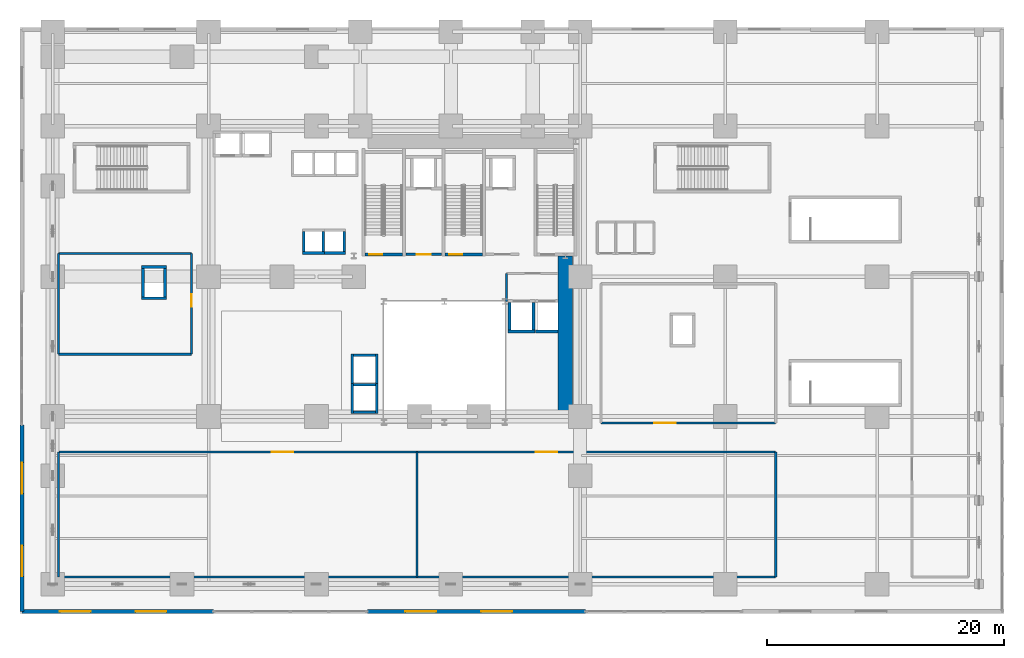
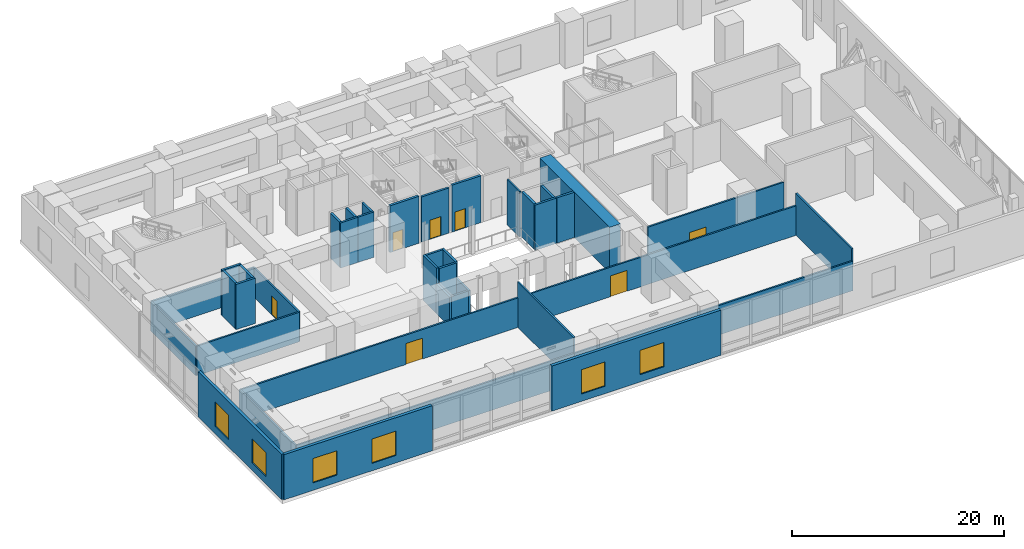
# One storey, part 11 of 17: 40 walls, 7 doors, 6 windows, 13 openings.
"""IFC4 building model written with IfcOpenShell, lengths in metres."""

from ifc_helpers import new_model, si_unit, direction, frame, frame_2d, origin, place, context, subcontext, project, spatial, rectangle, extrude, source, transform, mapped, material, layer, layer_set, type_object, element, fill, save


model = new_model("IFC4")

# Units and contexts
model_context = context("Model", 3, precision=1e-05, world=origin(), true_north=direction((0.0, 1.0)))
body_context = subcontext(model_context, "Body", "Model", "MODEL_VIEW")
ifc_project = project(units=[si_unit("LENGTHUNIT", "METRE"), si_unit("AREAUNIT", "SQUARE_METRE"), si_unit("VOLUMEUNIT", "CUBIC_METRE"), si_unit("PLANEANGLEUNIT", "RADIAN"), si_unit("MASSUNIT", "GRAM", prefix="KILO")], contexts=[model_context])

# Site, building, storey
site_placement = place(None, origin())
site = spatial("IfcSite", under=ifc_project, at=site_placement, CompositionType="ELEMENT")
building_placement = place(site_placement, origin())
building = spatial("IfcBuilding", under=site, at=building_placement, Name="Vardaveli Station Tower", CompositionType="ELEMENT")
storey_placement = place(building_placement, frame((0.0, 0.0, 11.39990234375)))
storey = spatial("IfcBuildingStorey", under=building, at=storey_placement, Name="L03", CompositionType="ELEMENT", Elevation=11.39990234375)

# Wall
ifc_material_1 = material(Name="Concrete C70/85", Category="concrete")
ifc_layer_1 = layer(ifc_material_1, 1.199951171875, Name="Concrete C70/85")
ifc_layer_set_1 = layer_set([ifc_layer_1], Name="Concrete C70/85")
wall_type_1 = type_object("IfcWallType", Name="WAL-CORE-1200", PredefinedType="SHEAR", material=ifc_layer_set_1)
shared_shape_1 = source(origin(), body_context, "Body", "SweptSolid", [
    extrude(rectangle(XDim=13.14990234375, YDim=1.199951171875, at=frame_2d((6.574951171875, 0.0))), origin(), (0.0, 0.0, 1.0), 5.2001953125),
])
wall_1_placement = place(storey_placement, frame((46.5, 17.5, 0.0), z_axis=(0.0, 0.0, 1.0), x_axis=(0.0, 1.0, 0.0)))
element("IfcWall", 1, at=wall_1_placement, inside=storey, type_object=wall_type_1, Name="SW-L03-EAST2", PredefinedType="SHEAR", context=body_context, shape_type="MappedRepresentation", body=[
    mapped(shared_shape_1, transform((0.0, 0.0, 0.0), scale=1.0)),
])

# Wall, openings, windows
ifc_material_2 = material(Name="Precast concrete C45/55", Category="concrete")
ifc_layer_2 = layer(ifc_material_2, 0.320068359375, Name="Precast concrete C45/55")
ifc_layer_set_2 = layer_set([ifc_layer_2], Name="Precast concrete C45/55")
wall_type_2 = type_object("IfcWallType", Name="WAL-EXT-STONE-320", PredefinedType="SOLIDWALL", material=ifc_layer_set_2)
shared_shape_2 = source(origin(), body_context, "Body", "SweptSolid", [
    extrude(rectangle(XDim=16.150146484375, YDim=0.320068359375, at=frame_2d((8.0751953125, 0.0))), origin(), (0.0, 0.0, 1.0), 5.2001953125),
])
wall_2_placement = place(storey_placement, frame((0.64990234375, 0.64990234375, 0.0), z_axis=(0.0, 0.0, 1.0), x_axis=(1.0, 0.0, 0.0)))
wall_2 = element("IfcWall", 2, at=wall_2_placement, inside=storey, type_object=wall_type_2, Name="EW-L03-S1", PredefinedType="SOLIDWALL", context=body_context, shape_type="MappedRepresentation", body=[
    mapped(shared_shape_2, transform((0.0, 0.0, 0.0), scale=1.0)),
])
shared_shape_3 = source(origin(), body_context, "Body", "SweptSolid", [
    extrude(rectangle(XDim=2.60009765625, YDim=2.800048828125, at=frame_2d((1.300048828125, 1.39990234375))), frame((0.0, 0.169921875, 0.0), z_axis=(0.0, -1.0, 0.0), x_axis=(1.0, 0.0, 0.0)), (0.0, 0.0, 1.0), 0.340087890625),
])
opening_1_placement = place(wall_2_placement, frame((3.199951171875, 0.0, 0.85009765625)))
opening_1 = element("IfcOpeningElement", 3, at=opening_1_placement, cuts=wall_2, Name="Opening W-02", PredefinedType="OPENING", context=body_context, shape_type="MappedRepresentation", body=[
    mapped(shared_shape_3, transform((0.0, 0.0, 0.0), scale=1.0)),
])
opening_2_placement = place(wall_2_placement, frame((9.60009765625, 0.0, 0.85009765625)))
opening_2 = element("IfcOpeningElement", 4, at=opening_2_placement, cuts=wall_2, Name="Opening W-02", PredefinedType="OPENING", context=body_context, shape_type="MappedRepresentation", body=[
    mapped(shared_shape_3, transform((0.0, 0.0, 0.0), scale=1.0)),
])
ifc_material_3 = material(Name="Low-E solar-control glass", Category="glass")
window_type = type_object("IfcWindowType", Name="WIN-POD-2600x2800", PartitioningType="SINGLE_PANEL", PredefinedType="WINDOW", material=ifc_material_3)
shared_shape_4 = source(origin(), body_context, "Body", "SweptSolid", [
    extrude(rectangle(XDim=2.60009765625, YDim=2.800048828125, at=frame_2d((1.300048828125, 1.39990234375))), frame((0.0, 0.030029296875, 0.0), z_axis=(0.0, -1.0, 0.0), x_axis=(1.0, 0.0, 0.0)), (0.0, 0.0, 1.0), 0.06005859375),
])
window_1_placement = place(opening_1_placement, origin())
window_1 = element("IfcWindow", 5, at=window_1_placement, inside=storey, type_object=window_type, Name="WN-L03-S1A", OverallHeight=2.800048828125, OverallWidth=2.60009765625, PartitioningType="SINGLE_PANEL", PredefinedType="WINDOW", context=body_context, shape_type="MappedRepresentation", body=[
    mapped(shared_shape_4, transform((0.0, 0.0, 0.0), scale=1.0)),
])
fill(opening_1, window_1)
window_2_placement = place(opening_2_placement, origin())
window_2 = element("IfcWindow", 6, at=window_2_placement, inside=storey, type_object=window_type, Name="WN-L03-S1B", OverallHeight=2.800048828125, OverallWidth=2.60009765625, PartitioningType="SINGLE_PANEL", PredefinedType="WINDOW", context=body_context, shape_type="MappedRepresentation", body=[
    mapped(shared_shape_4, transform((0.0, 0.0, 0.0), scale=1.0)),
])
fill(opening_2, window_2)

shared_shape_5 = source(origin(), body_context, "Body", "SweptSolid", [
    extrude(rectangle(XDim=18.39990234375, YDim=0.320068359375, at=frame_2d((9.199951171875, 0.0))), origin(), (0.0, 0.0, 1.0), 5.2001953125),
])
wall_3_placement = place(storey_placement, frame((29.800048828125, 0.64990234375, 0.0), z_axis=(0.0, 0.0, 1.0), x_axis=(1.0, 0.0, 0.0)))
wall_3 = element("IfcWall", 7, at=wall_3_placement, inside=storey, type_object=wall_type_2, Name="EW-L03-S3", PredefinedType="SOLIDWALL", context=body_context, shape_type="MappedRepresentation", body=[
    mapped(shared_shape_5, transform((0.0, 0.0, 0.0), scale=1.0)),
])
opening_3_placement = place(wall_3_placement, frame((3.199951171875, 0.0, 0.85009765625)))
opening_3 = element("IfcOpeningElement", 8, at=opening_3_placement, cuts=wall_3, Name="Opening W-02", PredefinedType="OPENING", context=body_context, shape_type="MappedRepresentation", body=[
    mapped(shared_shape_3, transform((0.0, 0.0, 0.0), scale=1.0)),
])
opening_4_placement = place(wall_3_placement, frame((9.60009765625, 0.0, 0.85009765625)))
opening_4 = element("IfcOpeningElement", 9, at=opening_4_placement, cuts=wall_3, Name="Opening W-02", PredefinedType="OPENING", context=body_context, shape_type="MappedRepresentation", body=[
    mapped(shared_shape_3, transform((0.0, 0.0, 0.0), scale=1.0)),
])
window_3_placement = place(opening_3_placement, origin())
window_3 = element("IfcWindow", 10, at=window_3_placement, inside=storey, type_object=window_type, Name="WN-L03-S3A", OverallHeight=2.800048828125, OverallWidth=2.60009765625, PartitioningType="SINGLE_PANEL", PredefinedType="WINDOW", context=body_context, shape_type="MappedRepresentation", body=[
    mapped(shared_shape_4, transform((0.0, 0.0, 0.0), scale=1.0)),
])
fill(opening_3, window_3)
window_4_placement = place(opening_4_placement, origin())
window_4 = element("IfcWindow", 11, at=window_4_placement, inside=storey, type_object=window_type, Name="WN-L03-S3B", OverallHeight=2.800048828125, OverallWidth=2.60009765625, PartitioningType="SINGLE_PANEL", PredefinedType="WINDOW", context=body_context, shape_type="MappedRepresentation", body=[
    mapped(shared_shape_4, transform((0.0, 0.0, 0.0), scale=1.0)),
])
fill(opening_4, window_4)

shared_shape_6 = source(origin(), body_context, "Body", "SweptSolid", [
    extrude(rectangle(XDim=15.75, YDim=0.320068359375, at=frame_2d((7.875, 0.0))), origin(), (0.0, 0.0, 1.0), 5.2001953125),
])
wall_4_placement = place(storey_placement, frame((0.64990234375, 16.39990234375, 0.0), z_axis=(0.0, 0.0, 1.0), x_axis=(0.0, -1.0, 0.0)))
wall_4 = element("IfcWall", 12, at=wall_4_placement, inside=storey, type_object=wall_type_2, Name="EW-L03-W1", PredefinedType="SOLIDWALL", context=body_context, shape_type="MappedRepresentation", body=[
    mapped(shared_shape_6, transform((0.0, 0.0, 0.0), scale=1.0)),
])
opening_5_placement = place(wall_4_placement, frame((3.199951171875, 0.0, 0.85009765625)))
opening_5 = element("IfcOpeningElement", 13, at=opening_5_placement, cuts=wall_4, Name="Opening W-02", PredefinedType="OPENING", context=body_context, shape_type="MappedRepresentation", body=[
    mapped(shared_shape_3, transform((0.0, 0.0, 0.0), scale=1.0)),
])
opening_6_placement = place(wall_4_placement, frame((10.199951171875, 0.0, 0.85009765625)))
opening_6 = element("IfcOpeningElement", 14, at=opening_6_placement, cuts=wall_4, Name="Opening W-02", PredefinedType="OPENING", context=body_context, shape_type="MappedRepresentation", body=[
    mapped(shared_shape_3, transform((0.0, 0.0, 0.0), scale=1.0)),
])
window_5_placement = place(opening_5_placement, origin())
window_5 = element("IfcWindow", 15, at=window_5_placement, inside=storey, type_object=window_type, Name="WN-L03-W1A", OverallHeight=2.800048828125, OverallWidth=2.60009765625, PartitioningType="SINGLE_PANEL", PredefinedType="WINDOW", context=body_context, shape_type="MappedRepresentation", body=[
    mapped(shared_shape_4, transform((0.0, 0.0, 0.0), scale=1.0)),
])
fill(opening_5, window_5)
window_6_placement = place(opening_6_placement, origin())
window_6 = element("IfcWindow", 16, at=window_6_placement, inside=storey, type_object=window_type, Name="WN-L03-W1B", OverallHeight=2.800048828125, OverallWidth=2.60009765625, PartitioningType="SINGLE_PANEL", PredefinedType="WINDOW", context=body_context, shape_type="MappedRepresentation", body=[
    mapped(shared_shape_4, transform((0.0, 0.0, 0.0), scale=1.0)),
])
fill(opening_6, window_6)

# Wall, opening, door
ifc_material_4 = material(Name="Concrete C40/50", Category="concrete")
ifc_layer_3 = layer(ifc_material_4, 0.25, Name="Concrete C40/50")
ifc_layer_set_3 = layer_set([ifc_layer_3], Name="Concrete C40/50")
wall_type_3 = type_object("IfcWallType", Name="WAL-SHAFT-250", PredefinedType="SOLIDWALL", material=ifc_layer_set_3)
shared_shape_7 = source(origin(), body_context, "Body", "SweptSolid", [
    extrude(rectangle(XDim=3.14990234375, YDim=0.25, at=frame_2d((1.574951171875, 0.0))), origin(), (0.0, 0.0, 1.0), 5.400146484375),
])
wall_5_placement = place(storey_placement, frame((29.60009765625, 30.77490234375, 0.0), z_axis=(0.0, 0.0, 1.0), x_axis=(1.0, 0.0, 0.0)))
wall_5 = element("IfcWall", 17, at=wall_5_placement, inside=storey, type_object=wall_type_3, Name="W-L03-ST-1S", PredefinedType="SOLIDWALL", context=body_context, shape_type="MappedRepresentation", body=[
    mapped(shared_shape_7, transform((0.0, 0.0, 0.0), scale=1.0)),
])
shared_shape_8 = source(origin(), body_context, "Body", "SweptSolid", [
    extrude(rectangle(XDim=1.10009765625, YDim=2.199951171875, at=frame_2d((0.550048828125, 1.10009765625))), frame((0.0, 0.135009765625, 0.0), z_axis=(0.0, -1.0, 0.0), x_axis=(1.0, 0.0, 0.0)), (0.0, 0.0, 1.0), 0.27001953125),
])
opening_7_placement = place(wall_5_placement, frame((0.35009765625, 0.0, 0.0)))
opening_7 = element("IfcOpeningElement", 18, at=opening_7_placement, cuts=wall_5, Name="Opening D-04", PredefinedType="OPENING", context=body_context, shape_type="MappedRepresentation", body=[
    mapped(shared_shape_8, transform((0.0, 0.0, 0.0), scale=1.0)),
])
ifc_material_5 = material(Name="Steel smokeproof fire doorset", Category="steel")
door_type_1 = type_object("IfcDoorType", Name="DR-ST-1100x2200", OperationType="NOTDEFINED", PredefinedType="DOOR", material=ifc_material_5)
shared_shape_9 = source(origin(), body_context, "Body", "SweptSolid", [
    extrude(rectangle(XDim=1.10009765625, YDim=2.199951171875, at=frame_2d((0.550048828125, 1.10009765625))), frame((0.0, 0.02490234375, 0.0), z_axis=(0.0, -1.0, 0.0), x_axis=(1.0, 0.0, 0.0)), (0.0, 0.0, 1.0), 0.050048828125),
])
door_1_placement = place(opening_7_placement, origin())
door_1 = element("IfcDoor", 19, at=door_1_placement, inside=storey, type_object=door_type_1, Name="DST-1-L03", OperationType="SINGLE_SWING_LEFT", OverallHeight=2.199951171875, OverallWidth=1.10009765625, PredefinedType="DOOR", context=body_context, shape_type="MappedRepresentation", body=[
    mapped(shared_shape_9, transform((0.0, 0.0, 0.0), scale=1.0)),
])
fill(opening_7, door_1)

wall_6_placement = place(storey_placement, frame((36.35009765625, 30.77490234375, 0.0), z_axis=(0.0, 0.0, 1.0), x_axis=(1.0, 0.0, 0.0)))
wall_6 = element("IfcWall", 20, at=wall_6_placement, inside=storey, type_object=wall_type_3, Name="W-L03-ST-2S", PredefinedType="SOLIDWALL", context=body_context, shape_type="MappedRepresentation", body=[
    mapped(shared_shape_7, transform((0.0, 0.0, 0.0), scale=1.0)),
])
opening_8_placement = place(wall_6_placement, frame((0.35009765625, 0.0, 0.0)))
opening_8 = element("IfcOpeningElement", 21, at=opening_8_placement, cuts=wall_6, Name="Opening D-04", PredefinedType="OPENING", context=body_context, shape_type="MappedRepresentation", body=[
    mapped(shared_shape_8, transform((0.0, 0.0, 0.0), scale=1.0)),
])
door_2_placement = place(opening_8_placement, origin())
door_2 = element("IfcDoor", 22, at=door_2_placement, inside=storey, type_object=door_type_1, Name="DST-2-L03", OperationType="SINGLE_SWING_LEFT", OverallHeight=2.199951171875, OverallWidth=1.10009765625, PredefinedType="DOOR", context=body_context, shape_type="MappedRepresentation", body=[
    mapped(shared_shape_9, transform((0.0, 0.0, 0.0), scale=1.0)),
])
fill(opening_8, door_2)

ifc_layer_4 = layer(ifc_material_4, 0.219970703125, Name="Concrete C40/50")
ifc_layer_set_4 = layer_set([ifc_layer_4], Name="Concrete C40/50")
wall_type_4 = type_object("IfcWallType", Name="WAL-FFLOBBY-220", PredefinedType="SOLIDWALL", material=ifc_layer_set_4)
shared_shape_10 = source(origin(), body_context, "Body", "SweptSolid", [
    extrude(rectangle(XDim=3.0, YDim=0.219970703125, at=frame_2d((1.5, 0.0))), origin(), (0.0, 0.0, 1.0), 5.2001953125),
])
wall_7_placement = place(storey_placement, frame((33.050048828125, 30.780029296875, 0.0), z_axis=(0.0, 0.0, 1.0), x_axis=(1.0, 0.0, 0.0)))
wall_7 = element("IfcWall", 23, at=wall_7_placement, inside=storey, type_object=wall_type_4, Name="W-L03-FFL1S", PredefinedType="SOLIDWALL", context=body_context, shape_type="MappedRepresentation", body=[
    mapped(shared_shape_10, transform((0.0, 0.0, 0.0), scale=1.0)),
])
shared_shape_11 = source(origin(), body_context, "Body", "SweptSolid", [
    extrude(rectangle(XDim=1.199951171875, YDim=2.199951171875, at=frame_2d((0.60009765625, 1.10009765625))), frame((0.0, 0.1201171875, 0.0), z_axis=(0.0, -1.0, 0.0), x_axis=(1.0, 0.0, 0.0)), (0.0, 0.0, 1.0), 0.239990234375),
])
opening_9_placement = place(wall_7_placement, frame((0.89990234375, 0.0, 0.0)))
opening_9 = element("IfcOpeningElement", 24, at=opening_9_placement, cuts=wall_7, Name="Opening D-03", PredefinedType="OPENING", context=body_context, shape_type="MappedRepresentation", body=[
    mapped(shared_shape_11, transform((0.0, 0.0, 0.0), scale=1.0)),
])
door_type_2 = type_object("IfcDoorType", Name="DR-FFL-1200x2200", OperationType="NOTDEFINED", PredefinedType="DOOR", material=ifc_material_5)
shared_shape_12 = source(origin(), body_context, "Body", "SweptSolid", [
    extrude(rectangle(XDim=1.199951171875, YDim=2.199951171875, at=frame_2d((0.60009765625, 1.10009765625))), frame((0.0, 0.02490234375, 0.0), z_axis=(0.0, -1.0, 0.0), x_axis=(1.0, 0.0, 0.0)), (0.0, 0.0, 1.0), 0.050048828125),
])
door_3_placement = place(opening_9_placement, origin())
door_3 = element("IfcDoor", 25, at=door_3_placement, inside=storey, type_object=door_type_2, Name="DFFL1-L03", OperationType="SINGLE_SWING_LEFT", OverallHeight=2.199951171875, OverallWidth=1.199951171875, PredefinedType="DOOR", context=body_context, shape_type="MappedRepresentation", body=[
    mapped(shared_shape_12, transform((0.0, 0.0, 0.0), scale=1.0)),
])
fill(opening_9, door_3)

# Walls
shared_shape_13 = source(origin(), body_context, "Body", "SweptSolid", [
    extrude(rectangle(XDim=2.10009765625, YDim=0.25, at=frame_2d((1.050048828125, 0.0))), origin(), (0.0, 0.0, 1.0), 5.2001953125),
])
for number, where, z_axis, x_axis, name in (
    (26, (10.75, 27.074951171875, 0.0), (0.0, 0.0, 1.0), (1.0, 0.0, 0.0), "SHW-STN-01-L03-S"),
    (27, (10.75, 29.72509765625, 0.0), (0.0, 0.0, 1.0), (1.0, 0.0, 0.0), "SHW-STN-01-L03-N"),
):
    element("IfcWall", number, at=place(storey_placement, frame(where, z_axis=z_axis, x_axis=x_axis)), inside=storey, type_object=wall_type_3, Name=name, PredefinedType="SOLIDWALL", context=body_context, shape_type="MappedRepresentation", body=[
        mapped(shared_shape_13, transform((0.0, 0.0, 0.0), scale=1.0)),
    ])
shared_shape_14 = source(origin(), body_context, "Body", "SweptSolid", [
    extrude(rectangle(XDim=2.400146484375, YDim=0.25, at=frame_2d((1.2001953125, 0.0))), origin(), (0.0, 0.0, 1.0), 5.2001953125),
])
for number, where, z_axis, x_axis, name in (
    (28, (10.875, 27.199951171875, 0.0), (0.0, 0.0, 1.0), (0.0, 1.0, 0.0), "SHW-STN-01-L03-W"),
    (29, (12.72509765625, 27.199951171875, 0.0), (0.0, 0.0, 1.0), (0.0, 1.0, 0.0), "SHW-STN-01-L03-E"),
):
    element("IfcWall", number, at=place(storey_placement, frame(where, z_axis=z_axis, x_axis=x_axis)), inside=storey, type_object=wall_type_3, Name=name, PredefinedType="SOLIDWALL", context=body_context, shape_type="MappedRepresentation", body=[
        mapped(shared_shape_14, transform((0.0, 0.0, 0.0), scale=1.0)),
    ])
shared_shape_15 = source(origin(), body_context, "Body", "SweptSolid", [
    extrude(rectangle(XDim=1.89013671875, YDim=0.219970703125, at=frame_2d((0.945068359375, 0.0))), origin(), (0.0, 0.0, 1.0), 5.2001953125),
])
for number, where, z_axis, x_axis, name in (
    (30, (24.304931640625, 30.889892578125, 0.0), (0.0, 0.0, 1.0), (1.0, 0.0, 0.0), "SHW-SHU-01-L03-S"),
    (31, (26.054931640625, 30.889892578125, 0.0), (0.0, 0.0, 1.0), (1.0, 0.0, 0.0), "SHW-SHU-02-L03-S"),
):
    element("IfcWall", number, at=place(storey_placement, frame(where, z_axis=z_axis, x_axis=x_axis)), inside=storey, type_object=wall_type_4, Name=name, PredefinedType="SOLIDWALL", context=body_context, shape_type="MappedRepresentation", body=[
        mapped(shared_shape_15, transform((0.0, 0.0, 0.0), scale=1.0)),
    ])
shared_shape_16 = source(origin(), body_context, "Body", "SweptSolid", [
    extrude(rectangle(XDim=1.699951171875, YDim=0.219970703125, at=frame_2d((0.85009765625, 0.0))), origin(), (0.0, 0.0, 1.0), 5.2001953125),
])
for number, where, z_axis, x_axis, name in (
    (32, (24.4150390625, 31.0, 0.0), (0.0, 0.0, 1.0), (0.0, 1.0, 0.0), "SHW-SHU-01-L03-W"),
    (33, (26.0849609375, 31.0, 0.0), (0.0, 0.0, 1.0), (0.0, 1.0, 0.0), "SHW-SHU-01-L03-E"),
    (34, (27.8349609375, 31.0, 0.0), (0.0, 0.0, 1.0), (0.0, 1.0, 0.0), "SHW-SHU-02-L03-E"),
):
    element("IfcWall", number, at=place(storey_placement, frame(where, z_axis=z_axis, x_axis=x_axis)), inside=storey, type_object=wall_type_4, Name=name, PredefinedType="SOLIDWALL", context=body_context, shape_type="MappedRepresentation", body=[
        mapped(shared_shape_16, transform((0.0, 0.0, 0.0), scale=1.0)),
    ])
shared_shape_17 = source(origin(), body_context, "Body", "SweptSolid", [
    extrude(rectangle(XDim=1.85009765625, YDim=0.219970703125, at=frame_2d((0.925048828125, 0.0))), origin(), (0.0, 0.0, 1.0), 3.39208984375),
])
wall_8_placement = place(storey_placement, frame((28.625, 17.43994140625, 0.0), z_axis=(0.0, 0.0, 1.0), x_axis=(1.0, 0.0, 0.0)))
element("IfcWall", 35, at=wall_8_placement, inside=storey, type_object=wall_type_4, Name="SHW-OBS-01-L03-S", PredefinedType="SOLIDWALL", context=body_context, shape_type="MappedRepresentation", body=[
    mapped(shared_shape_17, transform((0.0, 0.0, 0.0), scale=1.0)),
])
shared_shape_18 = source(origin(), body_context, "Body", "SweptSolid", [
    extrude(rectangle(XDim=1.85009765625, YDim=0.219970703125, at=frame_2d((0.925048828125, 0.0))), origin(), (0.0, 0.0, 1.0), 5.2001953125),
])
for number, where, z_axis, x_axis, name in (
    (36, (28.625, 19.760009765625, 0.0), (0.0, 0.0, 1.0), (1.0, 0.0, 0.0), "SHW-OBS-01-L03-N"),
    (37, (28.625, 22.260009765625, 0.0), (0.0, 0.0, 1.0), (1.0, 0.0, 0.0), "SHW-OBS-02-L03-N"),
):
    element("IfcWall", number, at=place(storey_placement, frame(where, z_axis=z_axis, x_axis=x_axis)), inside=storey, type_object=wall_type_4, Name=name, PredefinedType="SOLIDWALL", context=body_context, shape_type="MappedRepresentation", body=[
        mapped(shared_shape_18, transform((0.0, 0.0, 0.0), scale=1.0)),
    ])
shared_shape_19 = source(origin(), body_context, "Body", "SweptSolid", [
    extrude(rectangle(XDim=2.5400390625, YDim=0.219970703125, at=frame_2d((1.27001953125, 0.0))), origin(), (0.0, 0.0, 1.0), 3.39208984375),
])
for number, where, z_axis, x_axis, name in (
    (38, (28.514892578125, 17.330078125, 0.0), (0.0, 0.0, 1.0), (0.0, 1.0, 0.0), "SHW-OBS-01-L03-W"),
    (39, (30.5849609375, 17.330078125, 0.0), (0.0, 0.0, 1.0), (0.0, 1.0, 0.0), "SHW-OBS-01-L03-E"),
):
    element("IfcWall", number, at=place(storey_placement, frame(where, z_axis=z_axis, x_axis=x_axis)), inside=storey, type_object=wall_type_4, Name=name, PredefinedType="SOLIDWALL", context=body_context, shape_type="MappedRepresentation", body=[
        mapped(shared_shape_19, transform((0.0, 0.0, 0.0), scale=1.0)),
    ])
shared_shape_20 = source(origin(), body_context, "Body", "SweptSolid", [
    extrude(rectangle(XDim=2.5400390625, YDim=0.219970703125, at=frame_2d((1.27001953125, 0.0))), origin(), (0.0, 0.0, 1.0), 5.2001953125),
])
for number, where, z_axis, x_axis, name in (
    (40, (28.514892578125, 19.830078125, 0.0), (0.0, 0.0, 1.0), (0.0, 1.0, 0.0), "SHW-OBS-02-L03-W"),
    (41, (30.5849609375, 19.830078125, 0.0), (0.0, 0.0, 1.0), (0.0, 1.0, 0.0), "SHW-OBS-02-L03-E"),
):
    element("IfcWall", number, at=place(storey_placement, frame(where, z_axis=z_axis, x_axis=x_axis)), inside=storey, type_object=wall_type_4, Name=name, PredefinedType="SOLIDWALL", context=body_context, shape_type="MappedRepresentation", body=[
        mapped(shared_shape_20, transform((0.0, 0.0, 0.0), scale=1.0)),
    ])
shared_shape_21 = source(origin(), body_context, "Body", "SweptSolid", [
    extrude(rectangle(XDim=2.300048828125, YDim=0.25, at=frame_2d((1.14990234375, 0.0))), origin(), (0.0, 0.0, 1.0), 5.2001953125),
])
for number, where, z_axis, x_axis, name in (
    (42, (41.64990234375, 24.27490234375, 0.0), (0.0, 0.0, 1.0), (1.0, 0.0, 0.0), "SHW-SRV-01-L03-S"),
    (43, (41.77490234375, 24.39990234375, 0.0), (0.0, 0.0, 1.0), (0.0, 1.0, 0.0), "SHW-SRV-01-L03-W"),
    (44, (43.824951171875, 24.39990234375, 0.0), (0.0, 0.0, 1.0), (0.0, 1.0, 0.0), "SHW-SRV-01-L03-E"),
):
    element("IfcWall", number, at=place(storey_placement, frame(where, z_axis=z_axis, x_axis=x_axis)), inside=storey, type_object=wall_type_3, Name=name, PredefinedType="SOLIDWALL", context=body_context, shape_type="MappedRepresentation", body=[
        mapped(shared_shape_21, transform((0.0, 0.0, 0.0), scale=1.0)),
    ])
shared_shape_22 = source(origin(), body_context, "Body", "SweptSolid", [
    extrude(rectangle(XDim=1.89990234375, YDim=0.25, at=frame_2d((0.949951171875, 0.0))), origin(), (0.0, 0.0, 1.0), 5.2001953125),
])
wall_9_placement = place(storey_placement, frame((44.0, 24.27490234375, 0.0), z_axis=(0.0, 0.0, 1.0), x_axis=(1.0, 0.0, 0.0)))
element("IfcWall", 45, at=wall_9_placement, inside=storey, type_object=wall_type_3, Name="SHW-SRV-02-L03-S", PredefinedType="SOLIDWALL", context=body_context, shape_type="MappedRepresentation", body=[
    mapped(shared_shape_22, transform((0.0, 0.0, 0.0), scale=1.0)),
])

# Wall, opening, door
ifc_material_6 = material(Name="Fire-rated gypsum stud partition")
ifc_layer_5 = layer(ifc_material_6, 0.179931640625, Name="Fire-rated gypsum stud partition")
ifc_layer_set_5 = layer_set([ifc_layer_5], Name="Fire-rated gypsum stud partition")
wall_type_5 = type_object("IfcWallType", Name="WAL-CORR-180", PredefinedType="PARTITIONING", material=ifc_layer_set_5)
shared_shape_23 = source(origin(), body_context, "Body", "SweptSolid", [
    extrude(rectangle(XDim=30.25, YDim=0.179931640625, at=frame_2d((15.125, 0.0))), origin(), (0.0, 0.0, 1.0), 3.39208984375),
])
wall_10_placement = place(storey_placement, frame((3.75, 14.10009765625, 0.0), z_axis=(0.0, 0.0, 1.0), x_axis=(1.0, 0.0, 0.0)))
wall_10 = element("IfcWall", 46, at=wall_10_placement, inside=storey, type_object=wall_type_5, Name="W-L03-MN1-N", PredefinedType="PARTITIONING", context=body_context, shape_type="MappedRepresentation", body=[
    mapped(shared_shape_23, transform((0.0, 0.0, 0.0), scale=1.0)),
])
shared_shape_24 = source(origin(), body_context, "Body", "SweptSolid", [
    extrude(rectangle(XDim=1.800048828125, YDim=2.39990234375, at=frame_2d((0.89990234375, 1.199951171875))), frame((0.0, 0.10009765625, 0.0), z_axis=(0.0, -1.0, 0.0), x_axis=(1.0, 0.0, 0.0)), (0.0, 0.0, 1.0), 0.199951171875),
])
opening_10_placement = place(wall_10_placement, frame((18.0, 0.0, 0.0)))
opening_10 = element("IfcOpeningElement", 47, at=opening_10_placement, cuts=wall_10, Name="Opening D-01", PredefinedType="OPENING", context=body_context, shape_type="MappedRepresentation", body=[
    mapped(shared_shape_24, transform((0.0, 0.0, 0.0), scale=1.0)),
])
ifc_material_7 = material(Name="Acoustic hardwood fire doorset", Category="wood")
door_type_3 = type_object("IfcDoorType", Name="DR-BALL-1800x2400", OperationType="DOUBLE_DOOR_SINGLE_SWING", PredefinedType="DOOR", material=ifc_material_7)
shared_shape_25 = source(origin(), body_context, "Body", "SweptSolid", [
    extrude(rectangle(XDim=1.800048828125, YDim=2.39990234375, at=frame_2d((0.89990234375, 1.199951171875))), frame((0.0, 0.02490234375, 0.0), z_axis=(0.0, -1.0, 0.0), x_axis=(1.0, 0.0, 0.0)), (0.0, 0.0, 1.0), 0.050048828125),
])
door_4_placement = place(opening_10_placement, origin())
door_4 = element("IfcDoor", 48, at=door_4_placement, inside=storey, type_object=door_type_3, Name="D-L03-1", OperationType="DOUBLE_DOOR_SINGLE_SWING", OverallHeight=2.39990234375, OverallWidth=1.800048828125, PredefinedType="DOOR", context=body_context, shape_type="MappedRepresentation", body=[
    mapped(shared_shape_25, transform((0.0, 0.0, 0.0), scale=1.0)),
])
fill(opening_10, door_4)

wall_11_placement = place(storey_placement, frame((34.0, 14.10009765625, 0.0), z_axis=(0.0, 0.0, 1.0), x_axis=(1.0, 0.0, 0.0)))
wall_11 = element("IfcWall", 49, at=wall_11_placement, inside=storey, type_object=wall_type_5, Name="W-L03-MN2-N", PredefinedType="PARTITIONING", context=body_context, shape_type="MappedRepresentation", body=[
    mapped(shared_shape_23, transform((0.0, 0.0, 0.0), scale=1.0)),
])
opening_11_placement = place(wall_11_placement, frame((10.0, 0.0, 0.0)))
opening_11 = element("IfcOpeningElement", 50, at=opening_11_placement, cuts=wall_11, Name="Opening D-01", PredefinedType="OPENING", context=body_context, shape_type="MappedRepresentation", body=[
    mapped(shared_shape_24, transform((0.0, 0.0, 0.0), scale=1.0)),
])
door_5_placement = place(opening_11_placement, origin())
door_5 = element("IfcDoor", 51, at=door_5_placement, inside=storey, type_object=door_type_3, Name="D-L03-2", OperationType="DOUBLE_DOOR_SINGLE_SWING", OverallHeight=2.39990234375, OverallWidth=1.800048828125, PredefinedType="DOOR", context=body_context, shape_type="MappedRepresentation", body=[
    mapped(shared_shape_25, transform((0.0, 0.0, 0.0), scale=1.0)),
])
fill(opening_11, door_5)

# Walls
for number, where, z_axis, x_axis, name in (
    (52, (3.75, 3.550048828125, 0.0), (0.0, 0.0, 1.0), (1.0, 0.0, 0.0), "W-L03-MN1-S"),
    (53, (34.0, 3.550048828125, 0.0), (0.0, 0.0, 1.0), (1.0, 0.0, 0.0), "W-L03-MN2-S"),
):
    element("IfcWall", number, at=place(storey_placement, frame(where, z_axis=z_axis, x_axis=x_axis)), inside=storey, type_object=wall_type_5, Name=name, PredefinedType="PARTITIONING", context=body_context, shape_type="MappedRepresentation", body=[
        mapped(shared_shape_23, transform((0.0, 0.0, 0.0), scale=1.0)),
    ])

# Wall, opening, door
shared_shape_26 = source(origin(), body_context, "Body", "SweptSolid", [
    extrude(rectangle(XDim=14.75, YDim=0.179931640625, at=frame_2d((7.375, 0.0))), origin(), (0.0, 0.0, 1.0), 4.592041015625),
])
wall_12_placement = place(storey_placement, frame((49.5, 16.550048828125, 0.0), z_axis=(0.0, 0.0, 1.0), x_axis=(1.0, 0.0, 0.0)))
wall_12 = element("IfcWall", 54, at=wall_12_placement, inside=storey, type_object=wall_type_5, Name="W-L03-MN3-S", PredefinedType="PARTITIONING", context=body_context, shape_type="MappedRepresentation", body=[
    mapped(shared_shape_26, transform((0.0, 0.0, 0.0), scale=1.0)),
])
opening_12_placement = place(wall_12_placement, frame((4.5, 0.0, 0.0)))
opening_12 = element("IfcOpeningElement", 55, at=opening_12_placement, cuts=wall_12, Name="Opening D-01", PredefinedType="OPENING", context=body_context, shape_type="MappedRepresentation", body=[
    mapped(shared_shape_24, transform((0.0, 0.0, 0.0), scale=1.0)),
])
door_6_placement = place(opening_12_placement, origin())
door_6 = element("IfcDoor", 56, at=door_6_placement, inside=storey, type_object=door_type_3, Name="D-L03-3", OperationType="DOUBLE_DOOR_SINGLE_SWING", OverallHeight=2.39990234375, OverallWidth=1.800048828125, PredefinedType="DOOR", context=body_context, shape_type="MappedRepresentation", body=[
    mapped(shared_shape_25, transform((0.0, 0.0, 0.0), scale=1.0)),
])
fill(opening_12, door_6)

shared_shape_27 = source(origin(), body_context, "Body", "SweptSolid", [
    extrude(rectangle(XDim=8.5, YDim=0.179931640625, at=frame_2d((4.25, 0.0))), origin(), (0.0, 0.0, 1.0), 3.39208984375),
])
wall_13_placement = place(storey_placement, frame((14.949951171875, 22.35009765625, 0.0), z_axis=(0.0, 0.0, 1.0), x_axis=(0.0, 1.0, 0.0)))
wall_13 = element("IfcWall", 57, at=wall_13_placement, inside=storey, type_object=wall_type_5, Name="W-L03-MN4-E", PredefinedType="PARTITIONING", context=body_context, shape_type="MappedRepresentation", body=[
    mapped(shared_shape_27, transform((0.0, 0.0, 0.0), scale=1.0)),
])
shared_shape_28 = source(origin(), body_context, "Body", "SweptSolid", [
    extrude(rectangle(XDim=1.050048828125, YDim=2.199951171875, at=frame_2d((0.52490234375, 1.10009765625))), frame((0.0, 0.10009765625, 0.0), z_axis=(0.0, -1.0, 0.0), x_axis=(1.0, 0.0, 0.0)), (0.0, 0.0, 1.0), 0.199951171875),
])
opening_13_placement = place(wall_13_placement, frame((4.0, 0.0, 0.0)))
opening_13 = element("IfcOpeningElement", 58, at=opening_13_placement, cuts=wall_13, Name="Opening D-05", PredefinedType="OPENING", context=body_context, shape_type="MappedRepresentation", body=[
    mapped(shared_shape_28, transform((0.0, 0.0, 0.0), scale=1.0)),
])
ifc_material_8 = material(Name="Walnut veneer acoustic fire door")
door_type_4 = type_object("IfcDoorType", Name="DR-SUITE-1050x2200", OperationType="NOTDEFINED", PredefinedType="DOOR", material=ifc_material_8)
shared_shape_29 = source(origin(), body_context, "Body", "SweptSolid", [
    extrude(rectangle(XDim=1.050048828125, YDim=2.199951171875, at=frame_2d((0.52490234375, 1.10009765625))), frame((0.0, 0.02490234375, 0.0), z_axis=(0.0, -1.0, 0.0), x_axis=(1.0, 0.0, 0.0)), (0.0, 0.0, 1.0), 0.050048828125),
])
door_7_placement = place(opening_13_placement, origin())
door_7 = element("IfcDoor", 59, at=door_7_placement, inside=storey, type_object=door_type_4, Name="D-L03-4", OperationType="SINGLE_SWING_LEFT", OverallHeight=2.199951171875, OverallWidth=1.050048828125, PredefinedType="DOOR", context=body_context, shape_type="MappedRepresentation", body=[
    mapped(shared_shape_29, transform((0.0, 0.0, 0.0), scale=1.0)),
])
fill(opening_13, door_7)

# Walls
wall_14_placement = place(storey_placement, frame((3.75, 22.35009765625, 0.0), z_axis=(0.0, 0.0, 1.0), x_axis=(0.0, 1.0, 0.0)))
element("IfcWall", 60, at=wall_14_placement, inside=storey, type_object=wall_type_5, Name="W-L03-MN4-W", PredefinedType="PARTITIONING", context=body_context, shape_type="MappedRepresentation", body=[
    mapped(shared_shape_27, transform((0.0, 0.0, 0.0), scale=1.0)),
])
shared_shape_30 = source(origin(), body_context, "Body", "SweptSolid", [
    extrude(rectangle(XDim=11.199951171875, YDim=0.179931640625, at=frame_2d((5.60009765625, 0.0))), origin(), (0.0, 0.0, 1.0), 3.39208984375),
])
for number, where, z_axis, x_axis, name in (
    (61, (3.75, 22.35009765625, 0.0), (0.0, 0.0, 1.0), (1.0, 0.0, 0.0), "W-L03-MN4-S"),
    (62, (3.75, 30.85009765625, 0.0), (0.0, 0.0, 1.0), (1.0, 0.0, 0.0), "W-L03-MN4-N"),
):
    element("IfcWall", number, at=place(storey_placement, frame(where, z_axis=z_axis, x_axis=x_axis)), inside=storey, type_object=wall_type_5, Name=name, PredefinedType="PARTITIONING", context=body_context, shape_type="MappedRepresentation", body=[
        mapped(shared_shape_30, transform((0.0, 0.0, 0.0), scale=1.0)),
    ])
shared_shape_31 = source(origin(), body_context, "Body", "SweptSolid", [
    extrude(rectangle(XDim=10.550048828125, YDim=0.179931640625, at=frame_2d((5.27490234375, 0.0))), origin(), (0.0, 0.0, 1.0), 3.39208984375),
])
wall_15_placement = place(storey_placement, frame((3.75, 3.550048828125, 0.0), z_axis=(0.0, 0.0, 1.0), x_axis=(0.0, 1.0, 0.0)))
element("IfcWall", 63, at=wall_15_placement, inside=storey, type_object=wall_type_5, Name="W-L03-MN1-W", PredefinedType="PARTITIONING", context=body_context, shape_type="MappedRepresentation", body=[
    mapped(shared_shape_31, transform((0.0, 0.0, 0.0), scale=1.0)),
])
shared_shape_32 = source(origin(), body_context, "Body", "SweptSolid", [
    extrude(rectangle(XDim=10.550048828125, YDim=0.179931640625, at=frame_2d((5.27490234375, 0.0))), origin(), (0.0, 0.0, 1.0), 5.2001953125),
])
wall_16_placement = place(storey_placement, frame((34.0, 3.550048828125, 0.0), z_axis=(0.0, 0.0, 1.0), x_axis=(0.0, 1.0, 0.0)))
element("IfcWall", 64, at=wall_16_placement, inside=storey, type_object=wall_type_5, Name="W-L03-MN1-E", PredefinedType="PARTITIONING", context=body_context, shape_type="MappedRepresentation", body=[
    mapped(shared_shape_32, transform((0.0, 0.0, 0.0), scale=1.0)),
])
shared_shape_33 = source(origin(), body_context, "Body", "SweptSolid", [
    extrude(rectangle(XDim=10.550048828125, YDim=0.179931640625, at=frame_2d((5.27490234375, 0.0))), origin(), (0.0, 0.0, 1.0), 4.7919921875),
])
wall_17_placement = place(storey_placement, frame((64.25, 3.550048828125, 0.0), z_axis=(0.0, 0.0, 1.0), x_axis=(0.0, 1.0, 0.0)))
element("IfcWall", 65, at=wall_17_placement, inside=storey, type_object=wall_type_5, Name="W-L03-MN2-E", PredefinedType="PARTITIONING", context=body_context, shape_type="MappedRepresentation", body=[
    mapped(shared_shape_33, transform((0.0, 0.0, 0.0), scale=1.0)),
])
shared_shape_34 = source(origin(), body_context, "Body", "SweptSolid", [
    extrude(rectangle(XDim=2.349853515625, YDim=0.179931640625, at=frame_2d((1.1748046875, 0.0))), origin(), (0.0, 0.0, 1.0), 5.2001953125),
])
wall_18_placement = place(storey_placement, frame((41.550048828125, 26.800048828125, 0.0), z_axis=(0.0, 0.0, 1.0), x_axis=(0.0, 1.0, 0.0)))
element("IfcWall", 66, at=wall_18_placement, inside=storey, type_object=wall_type_5, Name="W-L03-SVFW", PredefinedType="PARTITIONING", context=body_context, shape_type="MappedRepresentation", body=[
    mapped(shared_shape_34, transform((0.0, 0.0, 0.0), scale=1.0)),
])

save(model, "model.ifc")
